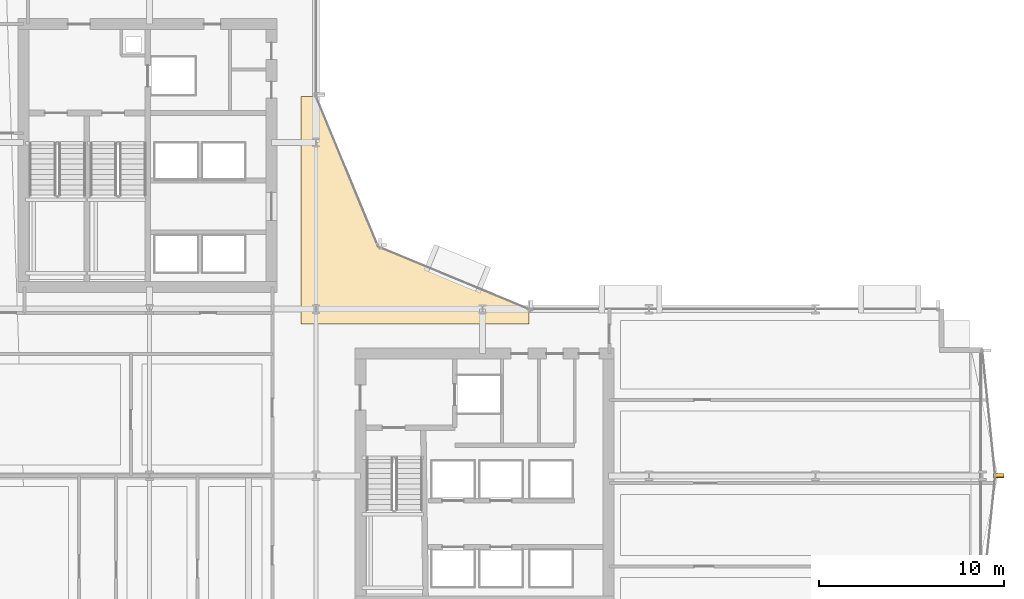
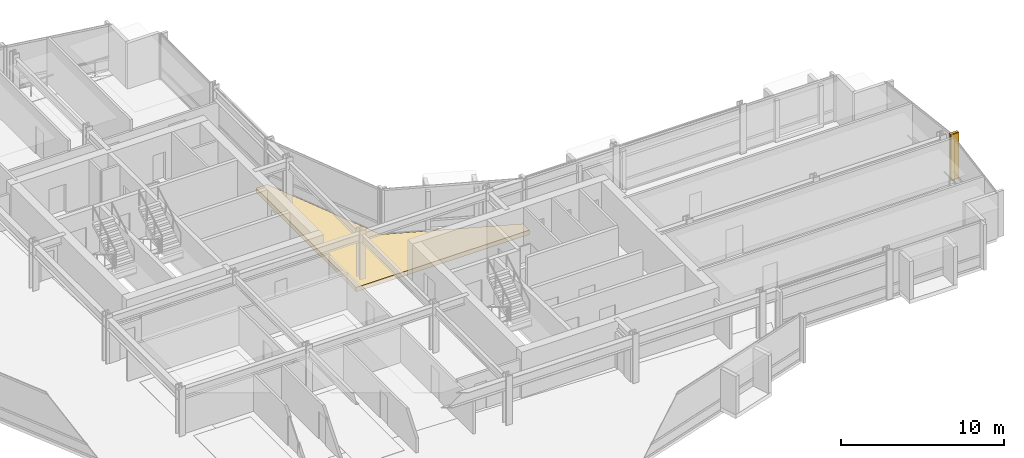
# One storey, part 34 of 34: 3 coverings.
"""IFC4 building model written with IfcOpenShell, lengths in metres."""

from ifc_helpers import new_model, si_unit, direction, frame, origin, origin_2d, place, context, subcontext, project, spatial, polyline, rectangle, outline, extrude, material, layer, layer_set, type_object, element, save


model = new_model("IFC4")

# Units and contexts
model_context = context("Model", 3, precision=1e-05, world=origin(), true_north=direction((0.0, 1.0)))
body_context = subcontext(model_context, "Body", "Model", "MODEL_VIEW")
ifc_project = project(units=[si_unit("LENGTHUNIT", "METRE"), si_unit("AREAUNIT", "SQUARE_METRE"), si_unit("VOLUMEUNIT", "CUBIC_METRE"), si_unit("PLANEANGLEUNIT", "RADIAN"), si_unit("MASSUNIT", "GRAM", prefix="KILO")], contexts=[model_context])

# Site, building, storey
site_placement = place(None, origin())
site = spatial("IfcSite", under=ifc_project, at=site_placement, CompositionType="ELEMENT")
building_placement = place(site_placement, origin())
building = spatial("IfcBuilding", under=site, at=building_placement, Name="Solvaryn Broadcast Tower", CompositionType="ELEMENT")
storey_placement = place(building_placement, frame((0.0, 0.0, 47.10009765625)))
storey = spatial("IfcBuildingStorey", under=building, at=storey_placement, Name="L10", CompositionType="ELEMENT", Elevation=47.10009765625)

# Coverings
ifc_material_1 = material(Name="Extruded Architectural Terracotta Fin", Category="masonry")
ifc_layer_1 = layer(ifc_material_1, 0.179931640625)
ifc_layer_set_1 = layer_set([ifc_layer_1], Name="CV-TC-FIN")
covering_type_1 = type_object("IfcCoveringType", Name="CV-TC-FIN", PredefinedType="USERDEFINED", material=ifc_layer_set_1)
for number, where, z_axis, x_axis, name in (
    (1, (63.884521484375, 18.02978515625, 0.0), (0.0, 0.0, 1.0), (1.0, 0.0, 0.0), "L10 Terracotta Vertical Fin FIN-L10-ET1-M01"),
    (2, (63.884521484375, 17.97021484375, 0.0), (0.0, 0.0, 1.0), (1.0, 0.0, 0.0), "L10 Terracotta Vertical Fin FIN-L10-ET2-M00"),
):
    element("IfcCovering", number, at=place(storey_placement, frame(where, z_axis=z_axis, x_axis=x_axis)), inside=storey, type_object=covering_type_1, Name=name, ObjectType="FIN", PredefinedType="USERDEFINED", context=body_context, shape_type="SweptSolid", body=[
        extrude(rectangle(XDim=0.580078125, YDim=0.179931640625, at=origin_2d()), origin(), (0.0, 0.0, 1.0), 3.419921875),
    ])
ifc_material_2 = material(Name="Sculpted Architectural Terracotta Wave Fascia", Category="masonry")
ifc_layer_2 = layer(ifc_material_2, 0.340087890625)
ifc_layer_set_2 = layer_set([ifc_layer_2], Name="CV-WAVE-TRAY")
covering_type_2 = type_object("IfcCoveringType", Name="CV-WAVE-TRAY", PredefinedType="CLADDING", material=ifc_layer_set_2)
covering_placement = place(storey_placement, frame((0.0, 0.0, -0.300048828125)))
element("IfcCovering", 3, at=covering_placement, inside=storey, type_object=covering_type_2, Name="L10 Concave Canyon Floor Apron", PredefinedType="CLADDING", context=body_context, shape_type="SweptSolid", body=[
    extrude(outline(polyline([(26.199951171875, 26.199951171875), (38.5, 26.199951171875), (38.5, 27.0), (30.367919921875, 30.367919921875), (27.0, 38.5), (26.199951171875, 38.5), (26.199951171875, 26.199951171875)])), origin(), (0.0, 0.0, 1.0), 0.329833984375),
])

save(model, "model.ifc")
